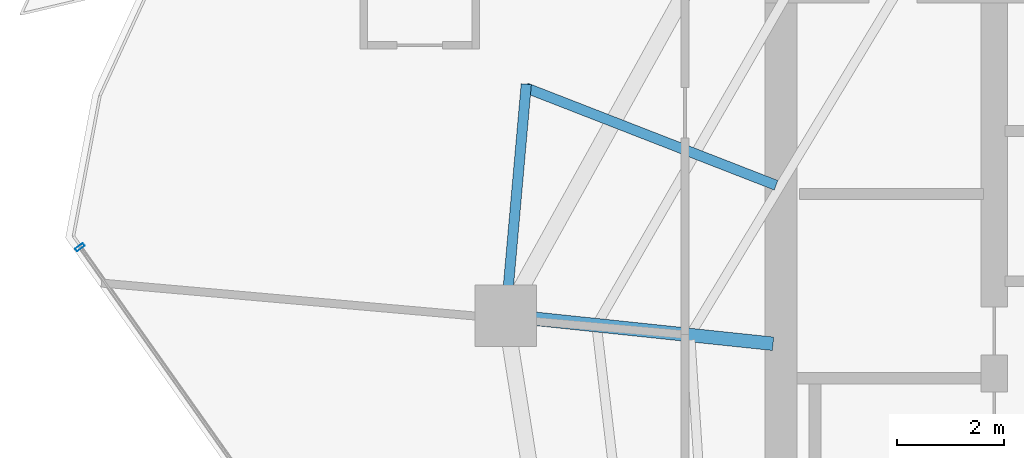
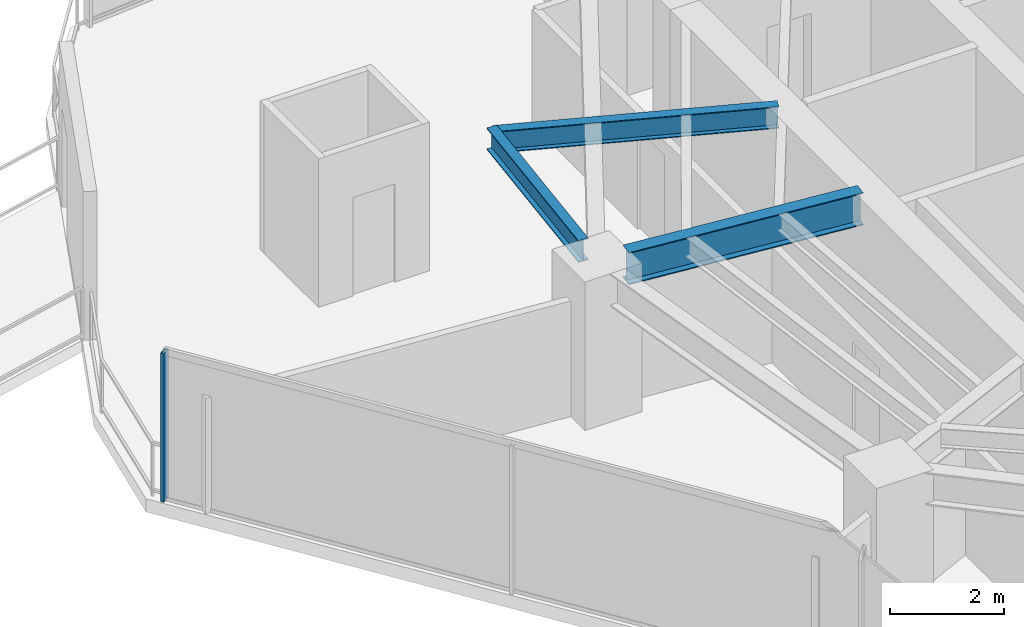
# One storey, part 7 of 30: 3 beams, 1 member, 1 element without a shape of its own.
"""IFC4 building model written with IfcOpenShell, lengths in metres."""

from ifc_helpers import new_model, si_unit, direction, frame, origin, origin_2d, place, context, subcontext, project, spatial, hollow_rectangle, i_section, extrude, material, layer, layer_set, material_profile, profile_set, type_object, element, aggregate, save


model = new_model("IFC4")

# Units and contexts
model_context = context("Model", 3, precision=1e-05, world=origin(), true_north=direction((0.0, 1.0)))
body_context = subcontext(model_context, "Body", "Model", "MODEL_VIEW")
ifc_project = project(units=[si_unit("LENGTHUNIT", "METRE"), si_unit("AREAUNIT", "SQUARE_METRE"), si_unit("VOLUMEUNIT", "CUBIC_METRE"), si_unit("PLANEANGLEUNIT", "RADIAN"), si_unit("MASSUNIT", "GRAM", prefix="KILO")], contexts=[model_context])

# Site, building, storey
site_placement = place(None, origin())
site = spatial("IfcSite", under=ifc_project, at=site_placement, CompositionType="ELEMENT")
building_placement = place(site_placement, origin())
building = spatial("IfcBuilding", under=site, at=building_placement, Name="Qarnah Convention Tower", CompositionType="ELEMENT")
storey_placement = place(building_placement, frame((0.0, 0.0, 86.699951171875)))
storey = spatial("IfcBuildingStorey", under=building, at=storey_placement, Name="L22", CompositionType="ELEMENT", Elevation=86.699951171875)

# Beams
ifc_material_1 = material(Name="Structural steel S355JR", Category="steel")
ifc_material_profile_1 = material_profile(ifc_material_1, i_section(OverallWidth=0.19189453125, OverallDepth=0.464111328125, WebThickness=0.010986328125, FlangeThickness=0.01806640625, at=origin_2d()), Name="W460X89")
ifc_profile_set_1 = profile_set([ifc_material_profile_1], Name="Structural steel S355JR")
beam_type_1 = type_object("IfcBeamType", Name="BM-CANT-W460A", PredefinedType="BEAM", material=ifc_profile_set_1)
beam_1_placement = place(storey_placement, frame((26.70703125, 30.48291015625, 2.93798828125), z_axis=(-0.93184170275, 0.362865045183, 0.0), x_axis=(-0.362865045183, -0.93184170275, 0.0)))
element("IfcBeam", 1, at=beam_1_placement, inside=storey, type_object=beam_type_1, Name="L22 beam BM-L22-CNT-02-1", PredefinedType="BEAM", context=body_context, shape_type="SweptSolid", body=[
    extrude(i_section(OverallWidth=0.19189453125, OverallDepth=0.464111328125, WebThickness=0.010986328125, FlangeThickness=0.01806640625, at=origin_2d()), origin(), (0.0, 0.0, 1.0), 5.035400390625),
])
beam_2_placement = place(storey_placement, frame((22.02099609375, 32.3798828125, 2.93798828125), z_axis=(-0.088250477094, -0.996098315074, 0.0), x_axis=(0.996098315074, -0.088250477094, 0.0)))
element("IfcBeam", 2, at=beam_2_placement, inside=storey, type_object=beam_type_1, Name="L22 spandrel BM-L22-CTIE-02", PredefinedType="SPANDREL", context=body_context, shape_type="SweptSolid", body=[
    extrude(i_section(OverallWidth=0.19189453125, OverallDepth=0.464111328125, WebThickness=0.010986328125, FlangeThickness=0.01806640625, at=origin_2d()), origin(), (0.0, 0.0, 1.0), 3.795654296875),
])
ifc_material_profile_2 = material_profile(ifc_material_1, i_section(OverallWidth=0.25390625, OverallDepth=0.68798828125, WebThickness=0.012939453125, FlangeThickness=0.02099609375, at=origin_2d()), Name="W690X152")
ifc_profile_set_2 = profile_set([ifc_material_profile_2], Name="Structural steel S355JR")
beam_type_2 = type_object("IfcBeamType", Name="BM-RAD-W690", PredefinedType="BEAM", material=ifc_profile_set_2)
beam_3_placement = place(storey_placement, frame((26.65087890625, 27.509033203125, 2.825927734375), z_axis=(-0.994523622606, 0.104512028393, 0.0), x_axis=(-0.104512028393, -0.994523622606, 0.0)))
element("IfcBeam", 3, at=beam_3_placement, inside=storey, type_object=beam_type_2, Name="L22 beam BM-L22-RAD-05", PredefinedType="BEAM", context=body_context, shape_type="SweptSolid", body=[
    extrude(i_section(OverallWidth=0.25390625, OverallDepth=0.68798828125, WebThickness=0.012939453125, FlangeThickness=0.02099609375, at=origin_2d()), origin(), (0.0, 0.0, 1.0), 4.487548828125),
])

# Curtain wall, member
ifc_material_2 = material(Name="Tempered Low-E dark glass", Category="glass")
ifc_layer = layer(ifc_material_2, 0.169921875)
ifc_layer_set = layer_set([ifc_layer], Name="Tempered Low-E dark glass")
curtain_wall_type = type_object("IfcCurtainWallType", Name="CWS-02", PredefinedType="NOTDEFINED", material=ifc_layer_set)
curtain_wall_placement = place(storey_placement, origin())
curtain_wall = element("IfcCurtainWall", 4, at=curtain_wall_placement, inside=storey, type_object=curtain_wall_type, Name="L22 unitised curtain wall CW-L22-F2", PredefinedType="NOTDEFINED")
ifc_material_3 = material(Name="Black anodised aluminium", Category="aluminium")
ifc_material_profile_3 = material_profile(ifc_material_3, hollow_rectangle(XDim=0.06494140625, YDim=0.179931640625, WallThickness=0.00390625, at=origin_2d()), Name="MUL-65X180")
ifc_profile_set_3 = profile_set([ifc_material_profile_3], Name="Black anodised aluminium")
member_type = type_object("IfcMemberType", Name="MUL-T2", PredefinedType="MULLION", material=ifc_profile_set_3)
member_placement = place(storey_placement, frame((13.64697265625, 29.320068359375, 0.0), z_axis=(0.0, 0.0, 1.0), x_axis=(-0.57758672318, 0.81632933134, 0.0)))
member = element("IfcMember", 5, at=member_placement, type_object=member_type, Name="CW-L22-F2 mullion 6", PredefinedType="MULLION", context=body_context, shape_type="SweptSolid", body=[
    extrude(hollow_rectangle(XDim=0.06494140625, YDim=0.179931640625, WallThickness=0.00390625, at=origin_2d()), origin(), (0.0, 0.0, 1.0), 3.170166015625),
])
aggregate(curtain_wall, [member])

save(model, "model.ifc")
